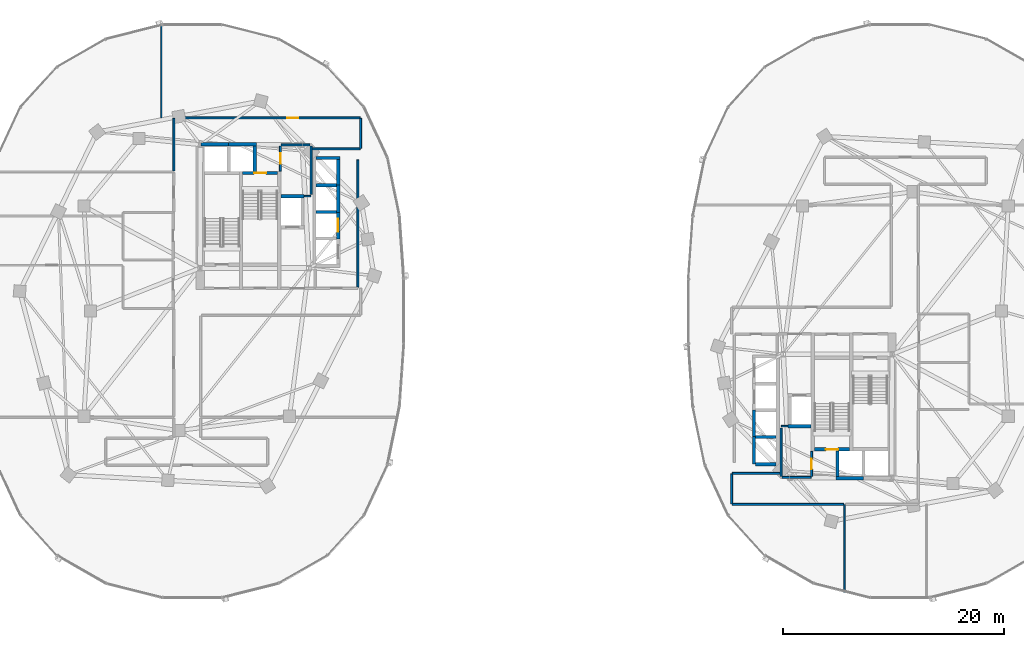
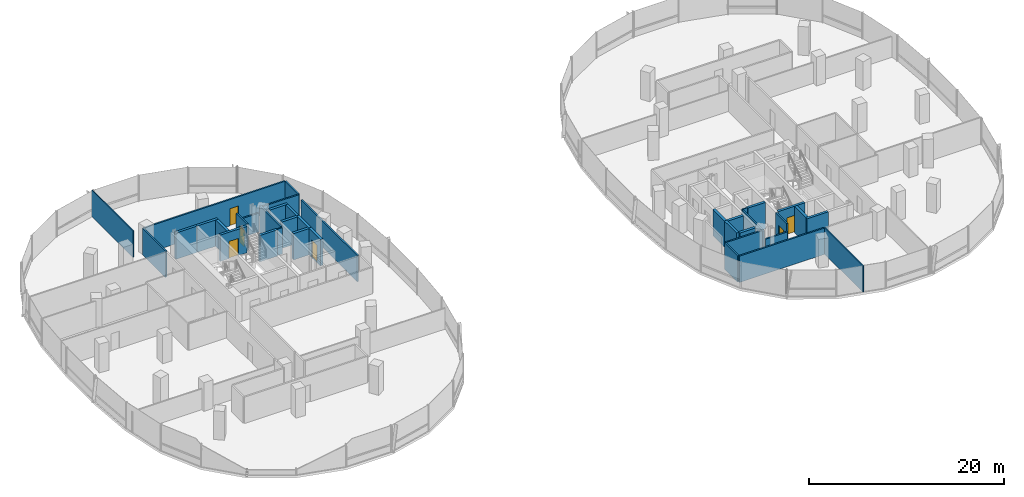
# One storey, part 12 of 21: 37 walls, 6 doors, 6 openings.
"""IFC4 building model written with IfcOpenShell, lengths in metres."""

from ifc_helpers import new_model, si_unit, direction, frame, frame_2d, origin, place, context, subcontext, project, spatial, rectangle, extrude, material, layer, layer_set, type_object, element, fill, save


model = new_model("IFC4")

# Units and contexts
model_context = context("Model", 3, precision=1e-05, world=origin(), true_north=direction((0.0, 1.0)))
body_context = subcontext(model_context, "Body", "Model", "MODEL_VIEW")
ifc_project = project(units=[si_unit("LENGTHUNIT", "METRE"), si_unit("AREAUNIT", "SQUARE_METRE"), si_unit("VOLUMEUNIT", "CUBIC_METRE"), si_unit("PLANEANGLEUNIT", "RADIAN"), si_unit("MASSUNIT", "GRAM", prefix="KILO"), si_unit("THERMODYNAMICTEMPERATUREUNIT", "KELVIN"), si_unit("POWERUNIT", "WATT")], contexts=[model_context])

# Site, building, storey
site_placement = place(None, origin())
site = spatial("IfcSite", under=ifc_project, at=site_placement, CompositionType="ELEMENT")
building_placement = place(site_placement, origin())
building = spatial("IfcBuilding", under=site, at=building_placement, Name="Cundina Bronze Exchange", CompositionType="ELEMENT")
storey_placement = place(building_placement, frame((0.0, 0.0, 107.0)))
storey = spatial("IfcBuildingStorey", under=building, at=storey_placement, Name="L27", CompositionType="ELEMENT", Elevation=107.0)

# Walls
ifc_material_1 = material(Name="Gypsum Fireboard Partition EI120")
ifc_layer_1 = layer(ifc_material_1, 0.179931640625, Name="Gypsum Fireboard Partition EI120")
ifc_layer_set_1 = layer_set([ifc_layer_1], Name="Gypsum Fireboard Partition EI120")
wall_type_1 = type_object("IfcWallType", Name="WL-COR-180", PredefinedType="PARTITIONING", material=ifc_layer_set_1)
wall_1_placement = place(storey_placement, frame((-17.02001953125, 2.169921875, 0.0), z_axis=(0.0, 0.0, 1.0), x_axis=(0.0, 1.0, 0.0)))
element("IfcWall", 1, at=wall_1_placement, inside=storey, type_object=wall_type_1, Name="L27 Interior Partition 001", PredefinedType="PARTITIONING", context=body_context, shape_type="SweptSolid", body=[
    extrude(rectangle(XDim=11.510009765625, YDim=0.179931640625, at=frame_2d((5.7548828125, 0.0))), origin(), (0.0, 0.0, 1.0), 3.300048828125),
])
wall_2_placement = place(storey_placement, frame((-21.25, 10.570068359375, 0.0), z_axis=(0.0, 0.0, 1.0), x_axis=(0.0, 1.0, 0.0)))
element("IfcWall", 2, at=wall_2_placement, inside=storey, type_object=wall_type_1, Name="L27 Interior Partition 004", PredefinedType="PARTITIONING", context=body_context, shape_type="SweptSolid", body=[
    extrude(rectangle(XDim=4.35986328125, YDim=0.179931640625, at=frame_2d((2.179931640625, 0.0))), origin(), (0.0, 0.0, 1.0), 3.300048828125),
])
wall_3_placement = place(storey_placement, frame((-23.9599609375, 15.030029296875, 0.0), z_axis=(0.0, 0.0, 1.0), x_axis=(1.0, 0.0, 0.0)))
element("IfcWall", 3, at=wall_3_placement, inside=storey, type_object=wall_type_1, Name="L27 Interior Partition 005", PredefinedType="PARTITIONING", context=body_context, shape_type="SweptSolid", body=[
    extrude(rectangle(XDim=2.60986328125, YDim=0.179931640625, at=frame_2d((1.304931640625, 0.0))), origin(), (0.0, 0.0, 1.0), 2.373046875),
])

# Wall, opening, door
wall_4_placement = place(storey_placement, frame((-24.02001953125, 12.669921875, 0.0), z_axis=(0.0, 0.0, 1.0), x_axis=(0.0, 1.0, 0.0)))
wall_4 = element("IfcWall", 4, at=wall_4_placement, inside=storey, type_object=wall_type_1, Name="L27 Interior Partition 007", PredefinedType="PARTITIONING", context=body_context, shape_type="SweptSolid", body=[
    extrude(rectangle(XDim=2.260009765625, YDim=0.179931640625, at=frame_2d((1.1298828125, 0.0))), origin(), (0.0, 0.0, 1.0), 3.300048828125),
])
opening_1_placement = place(wall_4_placement, frame((0.655029296875, 0.0, 0.0)))
opening_1 = element("IfcOpeningElement", 5, at=opening_1_placement, cuts=wall_4, Name="Opening DW-01", PredefinedType="OPENING", context=body_context, shape_type="SweptSolid", body=[
    extrude(rectangle(XDim=0.949951171875, YDim=2.10009765625, at=frame_2d((0.47509765625, 1.050048828125))), frame((0.0, 0.099853515625, 0.0), z_axis=(0.0, -1.0, 0.0), x_axis=(1.0, 0.0, 0.0)), (0.0, 0.0, 1.0), 0.199951171875),
])
ifc_material_2 = material(Name="Solid Andean Oak Timber Grade A", Category="wood")
door_type_1 = type_object("IfcDoorType", Name="DR-WC-950", OperationType="NOTDEFINED", PredefinedType="DOOR", material=ifc_material_2)
door_1_placement = place(opening_1_placement, origin())
door_1 = element("IfcDoor", 6, at=door_1_placement, inside=storey, type_object=door_type_1, Name="L27 Interior Door 007", OperationType="SINGLE_SWING_LEFT", OverallHeight=2.10009765625, OverallWidth=0.949951171875, PredefinedType="DOOR", context=body_context, shape_type="SweptSolid", body=[
    extrude(rectangle(XDim=0.949951171875, YDim=2.10009765625, at=frame_2d((0.47509765625, 1.050048828125))), frame((0.0, 0.02490234375, 0.0), z_axis=(0.0, -1.0, 0.0), x_axis=(1.0, 0.0, 0.0)), (0.0, 0.0, 1.0), 0.050048828125),
])
fill(opening_1, door_1)

wall_5_placement = place(storey_placement, frame((-16.821533203125, 17.469970703125, 0.0), z_axis=(0.0, 0.0, 1.0), x_axis=(-1.0, 0.0, 0.0)))
wall_5 = element("IfcWall", 7, at=wall_5_placement, inside=storey, type_object=wall_type_1, Name="L27 Interior Partition 028", PredefinedType="PARTITIONING", context=body_context, shape_type="SweptSolid", body=[
    extrude(rectangle(XDim=16.806884765625, YDim=0.179931640625, at=frame_2d((8.4033203125, 0.0))), origin(), (0.0, 0.0, 1.0), 3.300048828125),
])
opening_2_placement = place(wall_5_placement, frame((5.568603515625, 0.0, 0.0)))
opening_2 = element("IfcOpeningElement", 8, at=opening_2_placement, cuts=wall_5, Name="Opening DO-01", PredefinedType="OPENING", context=body_context, shape_type="SweptSolid", body=[
    extrude(rectangle(XDim=1.0, YDim=2.14990234375, at=frame_2d((0.5, 1.074951171875))), frame((0.0, 0.099853515625, 0.0), z_axis=(0.0, -1.0, 0.0), x_axis=(1.0, 0.0, 0.0)), (0.0, 0.0, 1.0), 0.199951171875),
])
door_type_2 = type_object("IfcDoorType", Name="DR-OFF-1000", OperationType="NOTDEFINED", PredefinedType="DOOR", material=ifc_material_2)
door_2_placement = place(opening_2_placement, origin())
door_2 = element("IfcDoor", 9, at=door_2_placement, inside=storey, type_object=door_type_2, Name="L27 Interior Door 028", OperationType="SINGLE_SWING_RIGHT", OverallHeight=2.14990234375, OverallWidth=1.0, PredefinedType="DOOR", context=body_context, shape_type="SweptSolid", body=[
    extrude(rectangle(XDim=1.0, YDim=2.14990234375, at=frame_2d((0.5, 1.074951171875))), frame((0.0, 0.02490234375, 0.0), z_axis=(0.0, -1.0, 0.0), x_axis=(1.0, 0.0, 0.0)), (0.0, 0.0, 1.0), 0.050048828125),
])
fill(opening_2, door_2)

# Walls
wall_6_placement = place(storey_placement, frame((-33.669921875, 17.428466796875, 0.0), z_axis=(0.0, 0.0, 1.0), x_axis=(0.0, -1.0, 0.0)))
element("IfcWall", 10, at=wall_6_placement, inside=storey, type_object=wall_type_1, Name="L27 Interior Partition 031", PredefinedType="PARTITIONING", context=body_context, shape_type="SweptSolid", body=[
    extrude(rectangle(XDim=4.738525390625, YDim=0.179931640625, at=frame_2d((2.369140625, 0.0))), origin(), (0.0, 0.0, 1.0), 3.300048828125),
])
wall_7_placement = place(storey_placement, frame((-21.178466796875, 14.679931640625, 0.0), z_axis=(0.0, 0.0, 1.0), x_axis=(1.0, 0.0, 0.0)))
element("IfcWall", 11, at=wall_7_placement, inside=storey, type_object=wall_type_1, Name="L27 Interior Partition 032", PredefinedType="PARTITIONING", context=body_context, shape_type="SweptSolid", body=[
    extrude(rectangle(XDim=4.35693359375, YDim=0.179931640625, at=frame_2d((2.178466796875, 0.0))), origin(), (0.0, 0.0, 1.0), 3.300048828125),
])
wall_8_placement = place(storey_placement, frame((-16.780029296875, 14.721435546875, 0.0), z_axis=(0.0, 0.0, 1.0), x_axis=(0.0, 1.0, 0.0)))
element("IfcWall", 12, at=wall_8_placement, inside=storey, type_object=wall_type_1, Name="L27 Interior Partition 033", PredefinedType="PARTITIONING", context=body_context, shape_type="SweptSolid", body=[
    extrude(rectangle(XDim=2.70703125, YDim=0.179931640625, at=frame_2d((1.353515625, 0.0))), origin(), (0.0, 0.0, 1.0), 3.300048828125),
])
wall_9_placement = place(storey_placement, frame((21.25, -14.929931640625, 0.0), z_axis=(0.0, 0.0, 1.0), x_axis=(0.0, 1.0, 0.0)))
element("IfcWall", 13, at=wall_9_placement, inside=storey, type_object=wall_type_1, Name="L27 Interior Partition 040", PredefinedType="PARTITIONING", context=body_context, shape_type="SweptSolid", body=[
    extrude(rectangle(XDim=4.35986328125, YDim=0.179931640625, at=frame_2d((2.179931640625, 0.0))), origin(), (0.0, 0.0, 1.0), 3.300048828125),
])
wall_10_placement = place(storey_placement, frame((21.35009765625, -15.030029296875, 0.0), z_axis=(0.0, 0.0, 1.0), x_axis=(1.0, 0.0, 0.0)))
element("IfcWall", 14, at=wall_10_placement, inside=storey, type_object=wall_type_1, Name="L27 Interior Partition 041", PredefinedType="PARTITIONING", context=body_context, shape_type="SweptSolid", body=[
    extrude(rectangle(XDim=2.60986328125, YDim=0.179931640625, at=frame_2d((1.304931640625, 0.0))), origin(), (0.0, 0.0, 1.0), 2.373046875),
])

# Wall, opening, door
wall_11_placement = place(storey_placement, frame((24.02001953125, -14.929931640625, 0.0), z_axis=(0.0, 0.0, 1.0), x_axis=(0.0, 1.0, 0.0)))
wall_11 = element("IfcWall", 15, at=wall_11_placement, inside=storey, type_object=wall_type_1, Name="L27 Interior Partition 043", PredefinedType="PARTITIONING", context=body_context, shape_type="SweptSolid", body=[
    extrude(rectangle(XDim=2.260009765625, YDim=0.179931640625, at=frame_2d((1.1298828125, 0.0))), origin(), (0.0, 0.0, 1.0), 3.300048828125),
])
opening_3_placement = place(wall_11_placement, frame((0.655029296875, 0.0, 0.0)))
opening_3 = element("IfcOpeningElement", 16, at=opening_3_placement, cuts=wall_11, Name="Opening DW-01", PredefinedType="OPENING", context=body_context, shape_type="SweptSolid", body=[
    extrude(rectangle(XDim=0.949951171875, YDim=2.10009765625, at=frame_2d((0.47509765625, 1.050048828125))), frame((0.0, 0.099853515625, 0.0), z_axis=(0.0, -1.0, 0.0), x_axis=(1.0, 0.0, 0.0)), (0.0, 0.0, 1.0), 0.199951171875),
])
door_3_placement = place(opening_3_placement, origin())
door_3 = element("IfcDoor", 17, at=door_3_placement, inside=storey, type_object=door_type_1, Name="L27 Interior Door 043", OperationType="SINGLE_SWING_RIGHT", OverallHeight=2.10009765625, OverallWidth=0.949951171875, PredefinedType="DOOR", context=body_context, shape_type="SweptSolid", body=[
    extrude(rectangle(XDim=0.949951171875, YDim=2.10009765625, at=frame_2d((0.47509765625, 1.050048828125))), frame((0.0, 0.02490234375, 0.0), z_axis=(0.0, -1.0, 0.0), x_axis=(1.0, 0.0, 0.0)), (0.0, 0.0, 1.0), 0.050048828125),
])
fill(opening_3, door_3)

# Walls
wall_12_placement = place(storey_placement, frame((16.821533203125, -17.469970703125, 0.0), z_axis=(0.0, 0.0, 1.0), x_axis=(1.0, 0.0, 0.0)))
element("IfcWall", 18, at=wall_12_placement, inside=storey, type_object=wall_type_1, Name="L27 Interior Partition 059", PredefinedType="PARTITIONING", context=body_context, shape_type="SweptSolid", body=[
    extrude(rectangle(XDim=10.08837890625, YDim=0.179931640625, at=frame_2d((5.044189453125, 0.0))), origin(), (0.0, 0.0, 1.0), 3.300048828125),
])
wall_13_placement = place(storey_placement, frame((21.178466796875, -14.679931640625, 0.0), z_axis=(0.0, 0.0, 1.0), x_axis=(-1.0, 0.0, 0.0)))
element("IfcWall", 19, at=wall_13_placement, inside=storey, type_object=wall_type_1, Name="L27 Interior Partition 061", PredefinedType="PARTITIONING", context=body_context, shape_type="SweptSolid", body=[
    extrude(rectangle(XDim=4.35693359375, YDim=0.179931640625, at=frame_2d((2.178466796875, 0.0))), origin(), (0.0, 0.0, 1.0), 3.300048828125),
])
wall_14_placement = place(storey_placement, frame((16.780029296875, -14.721435546875, 0.0), z_axis=(0.0, 0.0, 1.0), x_axis=(0.0, -1.0, 0.0)))
element("IfcWall", 20, at=wall_14_placement, inside=storey, type_object=wall_type_1, Name="L27 Interior Partition 062", PredefinedType="PARTITIONING", context=body_context, shape_type="SweptSolid", body=[
    extrude(rectangle(XDim=2.70703125, YDim=0.179931640625, at=frame_2d((1.353515625, 0.0))), origin(), (0.0, 0.0, 1.0), 3.300048828125),
])
ifc_material_3 = material(Name="Gypsum Acoustic Partition EI60")
ifc_layer_2 = layer(ifc_material_3, 0.125, Name="Gypsum Acoustic Partition EI60")
ifc_layer_set_2 = layer_set([ifc_layer_2], Name="Gypsum Acoustic Partition EI60")
wall_type_2 = type_object("IfcWallType", Name="WL-OFF-125", PredefinedType="PARTITIONING", material=ifc_layer_set_2)
wall_15_placement = place(storey_placement, frame((-34.800048828125, 17.469970703125, 0.0), z_axis=(0.0, 0.0, 1.0), x_axis=(0.0, 1.0, 0.0)))
element("IfcWall", 21, at=wall_15_placement, inside=storey, type_object=wall_type_2, Name="L27 Interior Partition 019", PredefinedType="PARTITIONING", context=body_context, shape_type="SweptSolid", body=[
    extrude(rectangle(XDim=8.490478515625, YDim=0.125, at=frame_2d((4.2451171875, 0.0))), origin(), (0.0, 0.0, 1.0), 3.300048828125),
])
wall_16_placement = place(storey_placement, frame((27.0, -25.404296875, 0.0), z_axis=(0.0, 0.0, 1.0), x_axis=(0.0, 1.0, 0.0)))
element("IfcWall", 22, at=wall_16_placement, inside=storey, type_object=wall_type_2, Name="L27 Interior Partition 054", PredefinedType="PARTITIONING", context=body_context, shape_type="SweptSolid", body=[
    extrude(rectangle(XDim=7.904296875, YDim=0.125, at=frame_2d((3.9521484375, 0.0))), origin(), (0.0, 0.0, 1.0), 3.300048828125),
])

# Wall, opening, door
ifc_material_4 = material(Name="Concrete C50/60", Category="concrete")
ifc_layer_3 = layer(ifc_material_4, 0.300048828125, Name="Concrete C50/60", Category="concrete")
ifc_layer_set_3 = layer_set([ifc_layer_3], Name="Concrete C50/60")
wall_type_3 = type_object("IfcWallType", Name="WL-SHFT-300", PredefinedType="SHEAR", material=ifc_layer_set_3)
wall_17_placement = place(storey_placement, frame((-27.43994140625, 12.5, 0.0), z_axis=(0.0, 0.0, 1.0), x_axis=(1.0, 0.0, 0.0)))
wall_17 = element("IfcWall", 23, at=wall_17_placement, inside=storey, type_object=wall_type_3, Name="L27 Stair W2 Landing Wall", PredefinedType="SHEAR", context=body_context, shape_type="SweptSolid", body=[
    extrude(rectangle(XDim=3.159912109375, YDim=0.300048828125, at=frame_2d((1.580078125, 0.0))), origin(), (0.0, 0.0, 1.0), 3.300048828125),
])
opening_4_placement = place(wall_17_placement, frame((1.030029296875, 0.0, 0.0)))
opening_4 = element("IfcOpeningElement", 24, at=opening_4_placement, cuts=wall_17, Name="Opening DS-01", PredefinedType="OPENING", context=body_context, shape_type="SweptSolid", body=[
    extrude(rectangle(XDim=1.10009765625, YDim=2.14990234375, at=frame_2d((0.550048828125, 1.074951171875))), frame((0.0, 0.159912109375, 0.0), z_axis=(0.0, -1.0, 0.0), x_axis=(1.0, 0.0, 0.0)), (0.0, 0.0, 1.0), 0.320068359375),
])
ifc_material_5 = material(Name="Steel ASTM A36 Painted", Category="steel")
door_type_3 = type_object("IfcDoorType", Name="DR-STR-1100", OperationType="NOTDEFINED", PredefinedType="DOOR", material=ifc_material_5)
door_4_placement = place(opening_4_placement, origin())
door_4 = element("IfcDoor", 25, at=door_4_placement, inside=storey, type_object=door_type_3, Name="L27 Smokeproof Stair W2 Door", OperationType="SINGLE_SWING_LEFT", OverallHeight=2.14990234375, OverallWidth=1.10009765625, PredefinedType="DOOR", context=body_context, shape_type="SweptSolid", body=[
    extrude(rectangle(XDim=1.10009765625, YDim=2.14990234375, at=frame_2d((0.550048828125, 1.074951171875))), frame((0.0, 0.02490234375, 0.0), z_axis=(0.0, -1.0, 0.0), x_axis=(1.0, 0.0, 0.0)), (0.0, 0.0, 1.0), 0.050048828125),
])
fill(opening_4, door_4)

# Walls
wall_18_placement = place(storey_placement, frame((-23.97998046875, 10.39990234375, 0.0), z_axis=(0.0, 0.0, 1.0), x_axis=(1.0, 0.0, 0.0)))
element("IfcWall", 26, at=wall_18_placement, inside=storey, type_object=wall_type_3, Name="L27 FFL-W Hoistway Back Wall", PredefinedType="SHEAR", context=body_context, shape_type="SweptSolid", body=[
    extrude(rectangle(XDim=2.10009765625, YDim=0.300048828125, at=frame_2d((1.050048828125, 0.0))), origin(), (0.0, 0.0, 1.0), 3.300048828125),
])
for number, where, z_axis, x_axis, name in (
    (27, (-31.199951171875, 15.10009765625, 0.0), (0.0, 0.0, 1.0), (1.0, 0.0, 0.0), "L27 PH-W1 Hoistway Front Wall"),
    (28, (-28.699951171875, 15.10009765625, 0.0), (0.0, 0.0, 1.0), (1.0, 0.0, 0.0), "L27 PH-W2 Hoistway Front Wall"),
):
    element("IfcWall", number, at=place(storey_placement, frame(where, z_axis=z_axis, x_axis=x_axis)), inside=storey, type_object=wall_type_3, Name=name, PredefinedType="SHEAR", context=body_context, shape_type="SweptSolid", body=[
        extrude(rectangle(XDim=2.5, YDim=0.300048828125, at=frame_2d((1.25, 0.0))), origin(), (0.0, 0.0, 1.0), 3.300048828125),
    ])
wall_19_placement = place(storey_placement, frame((-26.35009765625, 12.64990234375, 0.0), z_axis=(0.0, 0.0, 1.0), x_axis=(0.0, 1.0, 0.0)))
element("IfcWall", 29, at=wall_19_placement, inside=storey, type_object=wall_type_3, Name="L27 PH-W2 Hoistway Divider Wall", PredefinedType="SHEAR", context=body_context, shape_type="SweptSolid", body=[
    extrude(rectangle(XDim=2.300048828125, YDim=0.300048828125, at=frame_2d((1.14990234375, 0.0))), origin(), (0.0, 0.0, 1.0), 3.300048828125),
])
wall_20_placement = place(storey_placement, frame((-20.800048828125, 13.85009765625, 0.0), z_axis=(0.0, 0.0, 1.0), x_axis=(1.0, 0.0, 0.0)))
element("IfcWall", 30, at=wall_20_placement, inside=storey, type_object=wall_type_3, Name="L27 W Passenger Bank North Cap Wall", PredefinedType="SHEAR", context=body_context, shape_type="SweptSolid", body=[
    extrude(rectangle(XDim=2.150146484375, YDim=0.300048828125, at=frame_2d((1.0751953125, 0.0))), origin(), (0.0, 0.0, 1.0), 3.300048828125),
])
for number, where, z_axis, x_axis, name in (
    (31, (-20.800048828125, 8.97509765625, 0.0), (0.0, 0.0, 1.0), (1.0, 0.0, 0.0), "L27 W Passenger Hoistway Divider 2"),
    (32, (-20.800048828125, 11.375, 0.0), (0.0, 0.0, 1.0), (1.0, 0.0, 0.0), "L27 W Passenger Hoistway Divider 3"),
):
    element("IfcWall", number, at=place(storey_placement, frame(where, z_axis=z_axis, x_axis=x_axis)), inside=storey, type_object=wall_type_3, Name=name, PredefinedType="SHEAR", context=body_context, shape_type="SweptSolid", body=[
        extrude(rectangle(XDim=1.85009765625, YDim=0.300048828125, at=frame_2d((0.925048828125, 0.0))), origin(), (0.0, 0.0, 1.0), 3.300048828125),
    ])

# Wall, opening, door
wall_21_placement = place(storey_placement, frame((-18.800048828125, 6.530029296875, 0.0), z_axis=(0.0, 0.0, 1.0), x_axis=(0.0, 1.0, 0.0)))
wall_21 = element("IfcWall", 33, at=wall_21_placement, inside=storey, type_object=wall_type_3, Name="L27 PL-W1 Hoistway Front Wall", PredefinedType="SHEAR", context=body_context, shape_type="SweptSolid", body=[
    extrude(rectangle(XDim=2.489990234375, YDim=0.300048828125, at=frame_2d((1.2451171875, 0.0))), origin(), (0.0, 0.0, 1.0), 3.300048828125),
])
opening_5_placement = place(wall_21_placement, frame((0.669921875, 0.0, 0.0)))
opening_5 = element("IfcOpeningElement", 34, at=opening_5_placement, cuts=wall_21, Name="Opening LD-01", PredefinedType="OPENING", context=body_context, shape_type="SweptSolid", body=[
    extrude(rectangle(XDim=1.14990234375, YDim=2.199951171875, at=frame_2d((0.574951171875, 1.10009765625))), frame((0.0, 0.159912109375, 0.0), z_axis=(0.0, -1.0, 0.0), x_axis=(1.0, 0.0, 0.0)), (0.0, 0.0, 1.0), 0.320068359375),
])
door_type_4 = type_object("IfcDoorType", Name="DR-LND-1150", OperationType="NOTDEFINED", PredefinedType="TRAPDOOR", material=ifc_material_5)
door_5_placement = place(opening_5_placement, origin())
door_5 = element("IfcDoor", 35, at=door_5_placement, inside=storey, type_object=door_type_4, Name="L27 PL-W1 Sliding Landing Door", OperationType="SLIDING_TO_LEFT", OverallHeight=2.199951171875, OverallWidth=1.14990234375, PredefinedType="TRAPDOOR", context=body_context, shape_type="SweptSolid", body=[
    extrude(rectangle(XDim=1.14990234375, YDim=2.199951171875, at=frame_2d((0.574951171875, 1.10009765625))), frame((0.0, 0.02490234375, 0.0), z_axis=(0.0, -1.0, 0.0), x_axis=(1.0, 0.0, 0.0)), (0.0, 0.0, 1.0), 0.050048828125),
])
fill(opening_5, door_5)

# Walls
for number, where, z_axis, x_axis, name in (
    (36, (-18.800048828125, 8.929931640625, 0.0), (0.0, 0.0, 1.0), (0.0, 1.0, 0.0), "L27 PM-W2 Hoistway Front Wall"),
    (37, (-18.800048828125, 11.330078125, 0.0), (0.0, 0.0, 1.0), (0.0, 1.0, 0.0), "L27 PM-W1 Hoistway Front Wall"),
):
    element("IfcWall", number, at=place(storey_placement, frame(where, z_axis=z_axis, x_axis=x_axis)), inside=storey, type_object=wall_type_3, Name=name, PredefinedType="SHEAR", context=body_context, shape_type="SweptSolid", body=[
        extrude(rectangle(XDim=2.489990234375, YDim=0.300048828125, at=frame_2d((1.2451171875, 0.0))), origin(), (0.0, 0.0, 1.0), 3.300048828125),
    ])

# Wall, opening, door
wall_22_placement = place(storey_placement, frame((24.280029296875, -12.5, 0.0), z_axis=(0.0, 0.0, 1.0), x_axis=(1.0, 0.0, 0.0)))
wall_22 = element("IfcWall", 38, at=wall_22_placement, inside=storey, type_object=wall_type_3, Name="L27 Stair E2 Landing Wall", PredefinedType="SHEAR", context=body_context, shape_type="SweptSolid", body=[
    extrude(rectangle(XDim=3.159912109375, YDim=0.300048828125, at=frame_2d((1.580078125, 0.0))), origin(), (0.0, 0.0, 1.0), 3.300048828125),
])
opening_6_placement = place(wall_22_placement, frame((1.030029296875, 0.0, 0.0)))
opening_6 = element("IfcOpeningElement", 39, at=opening_6_placement, cuts=wall_22, Name="Opening DS-01", PredefinedType="OPENING", context=body_context, shape_type="SweptSolid", body=[
    extrude(rectangle(XDim=1.10009765625, YDim=2.14990234375, at=frame_2d((0.550048828125, 1.074951171875))), frame((0.0, 0.159912109375, 0.0), z_axis=(0.0, -1.0, 0.0), x_axis=(1.0, 0.0, 0.0)), (0.0, 0.0, 1.0), 0.320068359375),
])
door_6_placement = place(opening_6_placement, origin())
door_6 = element("IfcDoor", 40, at=door_6_placement, inside=storey, type_object=door_type_3, Name="L27 Smokeproof Stair E2 Door", OperationType="SINGLE_SWING_RIGHT", OverallHeight=2.14990234375, OverallWidth=1.10009765625, PredefinedType="DOOR", context=body_context, shape_type="SweptSolid", body=[
    extrude(rectangle(XDim=1.10009765625, YDim=2.14990234375, at=frame_2d((0.550048828125, 1.074951171875))), frame((0.0, 0.02490234375, 0.0), z_axis=(0.0, -1.0, 0.0), x_axis=(1.0, 0.0, 0.0)), (0.0, 0.0, 1.0), 0.050048828125),
])
fill(opening_6, door_6)

# Walls
wall_23_placement = place(storey_placement, frame((21.8798828125, -10.39990234375, 0.0), z_axis=(0.0, 0.0, 1.0), x_axis=(1.0, 0.0, 0.0)))
element("IfcWall", 41, at=wall_23_placement, inside=storey, type_object=wall_type_3, Name="L27 FFL-E Hoistway Back Wall", PredefinedType="SHEAR", context=body_context, shape_type="SweptSolid", body=[
    extrude(rectangle(XDim=2.10009765625, YDim=0.300048828125, at=frame_2d((1.050048828125, 0.0))), origin(), (0.0, 0.0, 1.0), 3.300048828125),
])
wall_24_placement = place(storey_placement, frame((26.199951171875, -15.10009765625, 0.0), z_axis=(0.0, 0.0, 1.0), x_axis=(1.0, 0.0, 0.0)))
element("IfcWall", 42, at=wall_24_placement, inside=storey, type_object=wall_type_3, Name="L27 PH-E2 Hoistway Front Wall", PredefinedType="SHEAR", context=body_context, shape_type="SweptSolid", body=[
    extrude(rectangle(XDim=2.5, YDim=0.300048828125, at=frame_2d((1.25, 0.0))), origin(), (0.0, 0.0, 1.0), 3.300048828125),
])
wall_25_placement = place(storey_placement, frame((26.35009765625, -14.949951171875, 0.0), z_axis=(0.0, 0.0, 1.0), x_axis=(0.0, 1.0, 0.0)))
element("IfcWall", 43, at=wall_25_placement, inside=storey, type_object=wall_type_3, Name="L27 PH-E2 Hoistway Divider Wall", PredefinedType="SHEAR", context=body_context, shape_type="SweptSolid", body=[
    extrude(rectangle(XDim=2.300048828125, YDim=0.300048828125, at=frame_2d((1.14990234375, 0.0))), origin(), (0.0, 0.0, 1.0), 3.300048828125),
])
for number, where, z_axis, x_axis, name in (
    (44, (18.949951171875, -13.85009765625, 0.0), (0.0, 0.0, 1.0), (1.0, 0.0, 0.0), "L27 E Passenger Bank South Cap Wall"),
    (45, (18.949951171875, -11.375, 0.0), (0.0, 0.0, 1.0), (1.0, 0.0, 0.0), "L27 E Passenger Hoistway Divider 1"),
):
    element("IfcWall", number, at=place(storey_placement, frame(where, z_axis=z_axis, x_axis=x_axis)), inside=storey, type_object=wall_type_3, Name=name, PredefinedType="SHEAR", context=body_context, shape_type="SweptSolid", body=[
        extrude(rectangle(XDim=1.85009765625, YDim=0.300048828125, at=frame_2d((0.925048828125, 0.0))), origin(), (0.0, 0.0, 1.0), 3.300048828125),
    ])
for number, where, z_axis, x_axis, name in (
    (46, (18.800048828125, -13.820068359375, 0.0), (0.0, 0.0, 1.0), (0.0, 1.0, 0.0), "L27 PM-E1 Hoistway Front Wall"),
    (47, (18.800048828125, -11.419921875, 0.0), (0.0, 0.0, 1.0), (0.0, 1.0, 0.0), "L27 PM-E2 Hoistway Front Wall"),
):
    element("IfcWall", number, at=place(storey_placement, frame(where, z_axis=z_axis, x_axis=x_axis)), inside=storey, type_object=wall_type_3, Name=name, PredefinedType="SHEAR", context=body_context, shape_type="SweptSolid", body=[
        extrude(rectangle(XDim=2.489990234375, YDim=0.300048828125, at=frame_2d((1.2451171875, 0.0))), origin(), (0.0, 0.0, 1.0), 3.300048828125),
    ])
ifc_material_6 = material(Name="Moisture-Resistant Masonry Block Grade M15", Category="masonry")
ifc_layer_4 = layer(ifc_material_6, 0.139892578125, Name="Moisture-Resistant Masonry Block Grade M15", Category="masonry")
ifc_layer_set_4 = layer_set([ifc_layer_4], Name="Moisture-Resistant Masonry Block Grade M15")
wall_type_4 = type_object("IfcWallType", Name="WL-WET-140", PredefinedType="PARTITIONING", material=ifc_layer_set_4)
for number, where, z_axis, x_axis, name in (
    (48, (-21.860107421875, 10.39990234375, 0.0), (0.0, 0.0, 1.0), (1.0, 0.0, 0.0), "L27 Interior Partition 003"),
    (49, (21.27001953125, -10.39990234375, 0.0), (0.0, 0.0, 1.0), (1.0, 0.0, 0.0), "L27 Interior Partition 039"),
):
    element("IfcWall", number, at=place(storey_placement, frame(where, z_axis=z_axis, x_axis=x_axis)), inside=storey, type_object=wall_type_4, Name=name, PredefinedType="PARTITIONING", context=body_context, shape_type="SweptSolid", body=[
        extrude(rectangle(XDim=0.590087890625, YDim=0.139892578125, at=frame_2d((0.294921875, 0.0))), origin(), (0.0, 0.0, 1.0), 3.300048828125),
    ])

save(model, "model.ifc")
